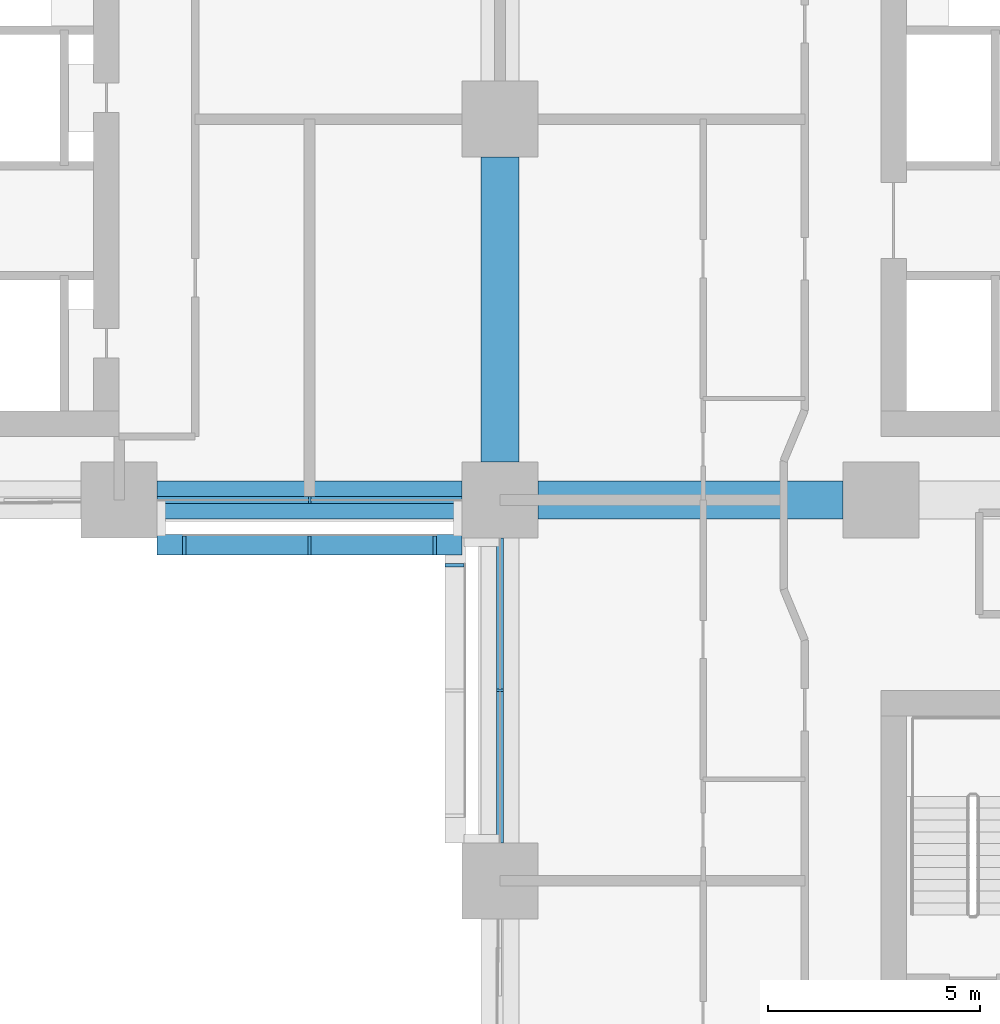
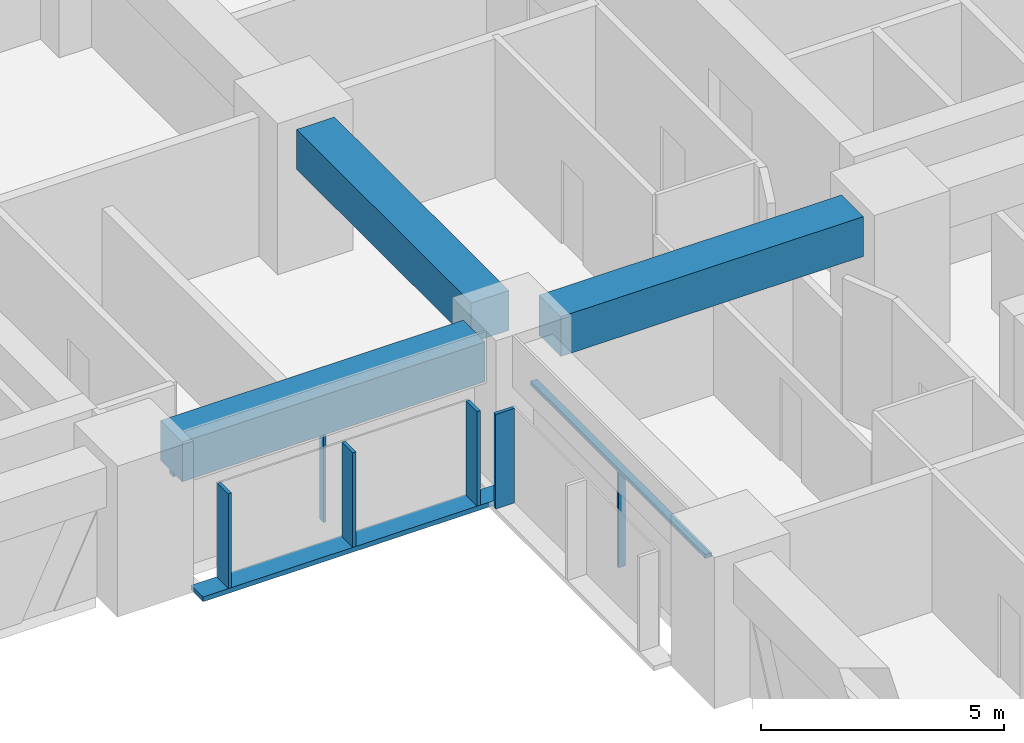
# One storey, part 3 of 18: 8 members, 4 beams, 2 elements without a shape of their own.
"""IFC4 building model written with IfcOpenShell, lengths in metres."""

import ifcopenshell
import ifcopenshell.guid

model = None  # the IFC model being written
_history = None  # IfcOwnerHistory: only IFC2X3 demands one
_inside = {}  # id of a spatial element -> (the spatial element, [elements in it])
_under = {}  # id of a project, library or spatial element -> (it, [spatial elements below it])
_declared = {}  # id of a project -> (the project, [libraries it declares])
_typed = {}  # id of a type object -> (the type object, [elements of that type])
_made_of = {}  # id of a material, layer set ... -> (it, [elements and type objects made of it])


def new_model(schema):
    """Start an empty IFC model of exactly this schema.

    Asked for "IFC4X3", IfcOpenShell would pick the latest addendum, in which some entities
    have other attributes; the version numbers below select the first issue.
    IFC2X3 requires an IfcOwnerHistory on every rooted entity: one is made here for all.
    """
    global model, _history
    if schema == "IFC4X3":
        model = ifcopenshell.file(schema_version=(4, 3, 0, 0))
    else:
        model = ifcopenshell.file(schema=schema)
    _inside.clear()
    _under.clear()
    _declared.clear()
    _typed.clear()
    _made_of.clear()
    _history = None
    if model.schema == "IFC2X3":
        org = make("IfcOrganization", Name="unknown")
        user = make(
            "IfcPersonAndOrganization",
            ThePerson=make("IfcPerson", FamilyName="unknown"),
            TheOrganization=org,
        )
        app = make(
            "IfcApplication",
            ApplicationDeveloper=org,
            Version="unknown",
            ApplicationFullName="unknown",
            ApplicationIdentifier="unknown",
        )
        _history = make(
            "IfcOwnerHistory",
            OwningUser=user,
            OwningApplication=app,
            ChangeAction="ADDED",
            CreationDate=0,
        )
    return model


def make(cls, **values):
    """One entity of the class cls with the attributes given. An attribute that is None is left unset."""
    return model.create_entity(
        cls, **{name: value for name, value in values.items() if value is not None}
    )


def rooted(cls, **values):
    """An entity with a GlobalId (a new one), such as an element, a storey or a relation."""
    return make(cls, GlobalId=ifcopenshell.guid.new(), OwnerHistory=_history, **values)


def si_unit(unit_type, name, prefix=None):
    """IfcSIUnit, for example si_unit("LENGTHUNIT", "METRE", prefix="MILLI")."""
    return make("IfcSIUnit", UnitType=unit_type, Prefix=prefix, Name=name)


def assignment(units):
    """IfcUnitAssignment: the units of a project."""
    return None if units is None else make("IfcUnitAssignment", Units=units)


def point(xyz):
    """IfcCartesianPoint."""
    return None if xyz is None else make("IfcCartesianPoint", Coordinates=xyz)


def direction(xyz):
    """IfcDirection."""
    return None if xyz is None else make("IfcDirection", DirectionRatios=xyz)


def frame(location, z_axis=None, x_axis=None):
    """IfcAxis2Placement3D, a coordinate frame: its origin and axes. An axis left out is left unset."""
    return make(
        "IfcAxis2Placement3D",
        Location=point(location),
        Axis=direction(z_axis),
        RefDirection=direction(x_axis),
    )


def frame_2d(location, x_axis=None):
    """IfcAxis2Placement2D, a coordinate frame in the plane: its origin and x axis."""
    return make(
        "IfcAxis2Placement2D", Location=point(location), RefDirection=direction(x_axis)
    )


def origin():
    """The frame at (0, 0, 0) with its axes left unset."""
    return frame((0.0, 0.0, 0.0))


def origin_2d():
    """The frame at (0, 0) in the plane with its x axis left unset."""
    return frame_2d((0.0, 0.0))


def place(relative_to, where):
    """IfcLocalPlacement: puts the frame where relative to a parent placement (None: the world)."""
    return make(
        "IfcLocalPlacement", PlacementRelTo=relative_to, RelativePlacement=where
    )


def context(
    kind, dimensions, precision=None, world=None, true_north=None, identifier=None
):
    """IfcGeometricRepresentationContext, for example the 3D "Model" context."""
    return make(
        "IfcGeometricRepresentationContext",
        ContextIdentifier=identifier,
        ContextType=kind,
        CoordinateSpaceDimension=dimensions,
        Precision=precision,
        WorldCoordinateSystem=world,
        TrueNorth=true_north,
    )


def subcontext(parent, identifier, kind, view, scale=None):
    """IfcGeometricRepresentationSubContext, for example "Body" below "Model"."""
    return make(
        "IfcGeometricRepresentationSubContext",
        ContextIdentifier=identifier,
        ContextType=kind,
        ParentContext=parent,
        TargetScale=scale,
        TargetView=view,
    )


def project(units=None, contexts=None):
    """IfcProject with its units and contexts."""
    return rooted(
        "IfcProject",
        Name="project",
        RepresentationContexts=contexts,
        UnitsInContext=assignment(units),
    )


def spatial(cls, under=None, at=None, **own):
    """A site, building, storey or space (cls), placed at a placement, below another one or the project."""
    s = rooted(cls, ObjectPlacement=at, **own)
    if under is not None:
        _under.setdefault(under.id(), (under, []))[1].append(s)
    return s


def profile(cls, at=None, kind="AREA", **sizes):
    """A parametric profile (cls). Its sizes go by their IFC names, for example OverallWidth=200.0."""
    return make(cls, ProfileType=kind, Position=at, **sizes)


def rectangle(**sizes):
    """IfcRectangleProfileDef."""
    return profile("IfcRectangleProfileDef", **sizes)


def extrude(swept, where, along, depth):
    """IfcExtrudedAreaSolid: the profile swept, set in the frame where, extruded along a direction by depth."""
    return make(
        "IfcExtrudedAreaSolid",
        SweptArea=swept,
        Position=where,
        ExtrudedDirection=direction(along),
        Depth=depth,
    )


def shape(context_of_items, identifier, shape_type, items):
    """IfcShapeRepresentation: the items that make up one representation, for example the "Body"."""
    return make(
        "IfcShapeRepresentation",
        ContextOfItems=context_of_items,
        RepresentationIdentifier=identifier,
        RepresentationType=shape_type,
        Items=items,
    )


def material(Name=None, Category=None):
    """IfcMaterial."""
    return make("IfcMaterial", Name=Name, Category=Category)


def material_profile(
    of_material, cross_section, Name=None, Category=None, Priority=None
):
    """IfcMaterialProfile: a cross section and its material."""
    return make(
        "IfcMaterialProfile",
        Name=Name,
        Material=of_material,
        Profile=cross_section,
        Priority=Priority,
        Category=Category,
    )


def profile_set(profiles, Name=None, composite=None):
    """IfcMaterialProfileSet."""
    return make(
        "IfcMaterialProfileSet",
        Name=Name,
        MaterialProfiles=profiles,
        CompositeProfile=composite,
    )


def made_of(thing, what):
    """Note that an element or type object is made of a material, layer set ...; save() writes the relation."""
    if what is not None:
        _made_of.setdefault(what.id(), (what, []))[1].append(thing)
    return thing


def type_object(cls, material=None, **own):
    """A type object (cls), such as IfcWallType, which elements share."""
    return made_of(rooted(cls, **own), material)


def element(
    cls,
    number,
    at=None,
    inside=None,
    cuts=None,
    type_object=None,
    material=None,
    context=None,
    identifier="Body",
    shape_type=None,
    held_by="IfcProductDefinitionShape",
    body=None,
    shapes=None,
    **own,
):
    """One element of the class cls, such as IfcWall. Its Tag is "e" and its number.

    at: its placement. inside: the storey or other place that contains it. cuts: it is an
    opening in that element (IfcRelVoidsElement). A single representation is given by context,
    identifier, shape_type and body (its items); several are given by shapes. held_by: the class
    of the entity that holds the representations. save() writes the other relations.
    """
    e = rooted(cls, Tag="e%d" % number, ObjectPlacement=at, **own)
    if body is not None:
        shapes = [shape(context, identifier, shape_type, body)]
    if shapes is not None:
        e.Representation = make(held_by, Representations=shapes)
    if inside is not None:
        _inside.setdefault(inside.id(), (inside, []))[1].append(e)
    if cuts is not None:
        rooted(
            "IfcRelVoidsElement", RelatingBuildingElement=cuts, RelatedOpeningElement=e
        )
    if type_object is not None:
        _typed.setdefault(type_object.id(), (type_object, []))[1].append(e)
    return made_of(e, material)


def aggregate(whole, parts):
    """IfcRelAggregates: a whole, such as a stair, and the parts it consists of."""
    return rooted("IfcRelAggregates", RelatingObject=whole, RelatedObjects=parts)


def save(model, path):
    """Write the relations noted so far, then the file.

    IfcRelAggregates (storeys below a building ...), IfcRelContainedInSpatialStructure (elements
    in a storey), IfcRelDefinesByType, IfcRelAssociatesMaterial and IfcRelDeclares: one each for
    every whole, place, type object, material and project.
    """
    for whole, parts in _under.values():
        aggregate(whole, parts)
    for where, things in _inside.values():
        rooted(
            "IfcRelContainedInSpatialStructure",
            RelatedElements=things,
            RelatingStructure=where,
        )
    for kind, things in _typed.values():
        rooted("IfcRelDefinesByType", RelatedObjects=things, RelatingType=kind)
    for what, things in _made_of.values():
        rooted("IfcRelAssociatesMaterial", RelatedObjects=things, RelatingMaterial=what)
    for by, libraries in _declared.values():
        rooted("IfcRelDeclares", RelatingContext=by, RelatedDefinitions=libraries)
    model.write(path)


model = new_model("IFC4")

# Units and contexts
model_context = context("Model", 3, precision=1e-05, world=origin(), true_north=direction((0.0, 1.0)))
body_context = subcontext(model_context, "Body", "Model", "MODEL_VIEW")
ifc_project = project(units=[si_unit("LENGTHUNIT", "METRE"), si_unit("AREAUNIT", "SQUARE_METRE"), si_unit("VOLUMEUNIT", "CUBIC_METRE"), si_unit("PLANEANGLEUNIT", "RADIAN"), si_unit("MASSUNIT", "GRAM", prefix="KILO")], contexts=[model_context])

# Site, building, storey
site_placement = place(None, origin())
site = spatial("IfcSite", under=ifc_project, at=site_placement, CompositionType="ELEMENT")
building_placement = place(site_placement, origin())
building = spatial("IfcBuilding", under=site, at=building_placement, Name="Tessera Arch", CompositionType="ELEMENT")
storey_placement = place(building_placement, frame((0.0, 0.0, 104.39990234375)))
storey = spatial("IfcBuildingStorey", under=building, at=storey_placement, Name="L24", CompositionType="ELEMENT", Elevation=104.39990234375)

# Curtain wall, member
ifc_material_1 = material(Name="CW1 curtain wall")
curtain_wall_type = type_object("IfcCurtainWallType", Name="CW1 curtain wall", PredefinedType="NOTDEFINED", material=ifc_material_1)
curtain_wall_1_placement = place(storey_placement, origin())
curtain_wall_1 = element("IfcCurtainWall", 1, at=curtain_wall_1_placement, inside=storey, type_object=curtain_wall_type, Name="CW1 curtain wall S27.0/2 L24", PredefinedType="NOTDEFINED")
ifc_material_2 = material(Name="Anodised aluminium pale metal", Category="aluminium")
ifc_material_profile_1 = material_profile(ifc_material_2, rectangle(XDim=0.159912109375, YDim=0.06005859375, at=origin_2d()), Name="AL 60x160")
ifc_profile_set_1 = profile_set([ifc_material_profile_1], Name="Anodised aluminium pale metal")
member_type_1 = type_object("IfcMemberType", Name="CW1 mullion", PredefinedType="MULLION", material=ifc_profile_set_1)
member_1_placement = place(storey_placement, frame((22.5, 27.0, 0.0), z_axis=(0.0, 0.0, 1.0), x_axis=(0.0, 1.0, 0.0)))
member_1 = element("IfcMember", 2, at=member_1_placement, type_object=member_type_1, Name="CW1 mullion S27.0/2 1", PredefinedType="MULLION", context=body_context, shape_type="SweptSolid", body=[
    extrude(rectangle(XDim=0.159912109375, YDim=0.06005859375, at=origin_2d()), origin(), (0.0, 0.0, 1.0), 2.400146484375),
])

curtain_wall_2_placement = place(storey_placement, origin())
curtain_wall_2 = element("IfcCurtainWall", 3, at=curtain_wall_2_placement, inside=storey, type_object=curtain_wall_type, Name="CW1 curtain wall W27.0/0 L24", PredefinedType="NOTDEFINED")
member_2_placement = place(storey_placement, frame((27.0, 22.5, 0.0), z_axis=(0.0, 0.0, 1.0), x_axis=(1.0, 0.0, 0.0)))
member_2 = element("IfcMember", 4, at=member_2_placement, type_object=member_type_1, Name="CW1 mullion W27.0/0 1", PredefinedType="MULLION", context=body_context, shape_type="SweptSolid", body=[
    extrude(rectangle(XDim=0.159912109375, YDim=0.06005859375, at=origin_2d()), origin(), (0.0, 0.0, 1.0), 2.400146484375),
])

# Member
ifc_material_3 = material(Name="Anodised aluminium pale metal", Category="aluminium")
ifc_material_profile_2 = material_profile(ifc_material_3, rectangle(XDim=0.159912109375, YDim=0.10009765625, at=origin_2d()), Name="AL 160x100")
ifc_profile_set_2 = profile_set([ifc_material_profile_2], Name="Anodised aluminium pale metal")
member_type_2 = type_object("IfcMemberType", Name="CW1 transom", PredefinedType="USERDEFINED", material=ifc_profile_set_2)
member_3_placement = place(storey_placement, frame((18.89990234375, 27.0, 2.4501953125), z_axis=(1.0, 0.0, 0.0), x_axis=(0.0, 1.0, 0.0)))
member_3 = element("IfcMember", 5, at=member_3_placement, type_object=member_type_2, Name="CW1 transom S27.0/2 1.1", ObjectType="TRANSOM", PredefinedType="USERDEFINED", context=body_context, shape_type="SweptSolid", body=[
    extrude(rectangle(XDim=0.159912109375, YDim=0.10009765625, at=origin_2d()), origin(), (0.0, 0.0, 1.0), 7.2001953125),
])

aggregate(curtain_wall_1, [member_1, member_3])

member_4_placement = place(storey_placement, frame((27.0, 26.10009765625, 2.4501953125), z_axis=(0.0, -1.0, 0.0), x_axis=(1.0, 0.0, 0.0)))
member_4 = element("IfcMember", 6, at=member_4_placement, type_object=member_type_2, Name="CW1 transom W27.0/0 1.1", ObjectType="TRANSOM", PredefinedType="USERDEFINED", context=body_context, shape_type="SweptSolid", body=[
    extrude(rectangle(XDim=0.159912109375, YDim=0.10009765625, at=origin_2d()), origin(), (0.0, 0.0, 1.0), 7.2001953125),
])

aggregate(curtain_wall_2, [member_2, member_4])

# Members
ifc_material_4 = material(Name="Anodised aluminium pale metal", Category="aluminium")
ifc_material_profile_3 = material_profile(ifc_material_4, rectangle(XDim=0.449951171875, YDim=0.080078125, at=origin_2d()), Name="AL 80x450")
ifc_profile_set_3 = profile_set([ifc_material_profile_3], Name="Anodised aluminium pale metal")
member_type_3 = type_object("IfcMemberType", Name="Mashrabiya fin", PredefinedType="USERDEFINED", material=ifc_profile_set_3)
for number, where, z_axis, x_axis, name in (
    (7, (19.5400390625, 25.925048828125, 0.1201171875), (0.0, 0.0, 1.0), (0.0, -1.0, 0.0), "FIN mashrabiya S27.0/2 1"),
    (8, (22.5, 25.925048828125, 0.1201171875), (0.0, 0.0, 1.0), (0.0, -1.0, 0.0), "FIN mashrabiya S27.0/2 2"),
    (9, (25.4599609375, 25.925048828125, 0.1201171875), (0.0, 0.0, 1.0), (0.0, -1.0, 0.0), "FIN mashrabiya S27.0/2 3"),
    (10, (25.925048828125, 25.4599609375, 0.1201171875), (0.0, 0.0, 1.0), (-1.0, 0.0, 0.0), "FIN mashrabiya W27.0/0 1"),
):
    element("IfcMember", number, at=place(storey_placement, frame(where, z_axis=z_axis, x_axis=x_axis)), inside=storey, type_object=member_type_3, Name=name, ObjectType="FIN", PredefinedType="USERDEFINED", context=body_context, shape_type="SweptSolid", body=[
        extrude(rectangle(XDim=0.449951171875, YDim=0.080078125, at=origin_2d()), origin(), (0.0, 0.0, 1.0), 2.3798828125),
    ])

# Beams
ifc_material_5 = material(Name="Concrete C80/95", Category="concrete")
ifc_material_profile_4 = material_profile(ifc_material_5, rectangle(XDim=0.89990234375, YDim=1.0, at=origin_2d()), Name="RC spandrel beam 900 x 1000 Concrete C80/95")
ifc_profile_set_4 = profile_set([ifc_material_profile_4], Name="Concrete C80/95")
beam_type_1 = type_object("IfcBeamType", Name="RC spandrel beam 900 x 1000 Concrete C80/95", PredefinedType="BEAM", material=ifc_profile_set_4)
for number, where, z_axis, x_axis, name in (
    (11, (18.89990234375, 27.0, 3.0), (1.0, 0.0, 0.0), (0.0, 1.0, 0.0), "Spandrel beam L24 S27.0/2"),
    (12, (27.0, 27.89990234375, 3.0), (0.0, 1.0, 0.0), (-1.0, 0.0, 0.0), "Interface beam L24 I0C4D-C4E"),
    (13, (27.89990234375, 27.0, 3.0), (1.0, 0.0, 0.0), (0.0, 1.0, 0.0), "Interface beam L24 I1C4D-C5D"),
):
    element("IfcBeam", number, at=place(storey_placement, frame(where, z_axis=z_axis, x_axis=x_axis)), inside=storey, type_object=beam_type_1, Name=name, PredefinedType="BEAM", context=body_context, shape_type="SweptSolid", body=[
        extrude(rectangle(XDim=0.89990234375, YDim=1.0, at=origin_2d()), origin(), (0.0, 0.0, 1.0), 7.2001953125),
    ])
ifc_material_6 = material(Name="Aluminium alloy 6063-T6", Category="aluminium")
ifc_material_profile_5 = material_profile(ifc_material_6, rectangle(XDim=0.489990234375, YDim=0.1201171875, at=origin_2d()), Name="AL 490x120")
ifc_profile_set_5 = profile_set([ifc_material_profile_5], Name="Aluminium alloy 6063-T6")
beam_type_2 = type_object("IfcBeamType", Name="Screen sill beam", PredefinedType="BEAM", material=ifc_profile_set_5)
beam_placement = place(storey_placement, frame((18.89990234375, 25.945068359375, 0.06005859375), z_axis=(1.0, 0.0, 0.0), x_axis=(0.0, 1.0, 0.0)))
element("IfcBeam", 14, at=beam_placement, inside=storey, type_object=beam_type_2, Name="Screen sill beam", PredefinedType="BEAM", context=body_context, shape_type="SweptSolid", body=[
    extrude(rectangle(XDim=0.489990234375, YDim=0.1201171875, at=origin_2d()), origin(), (0.0, 0.0, 1.0), 7.2001953125),
])

save(model, "model.ifc")
